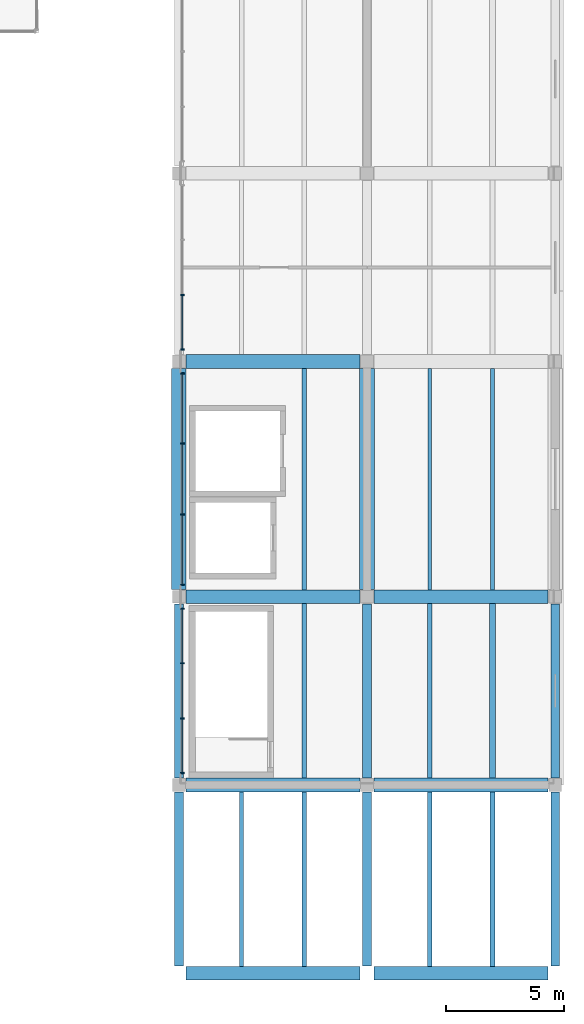
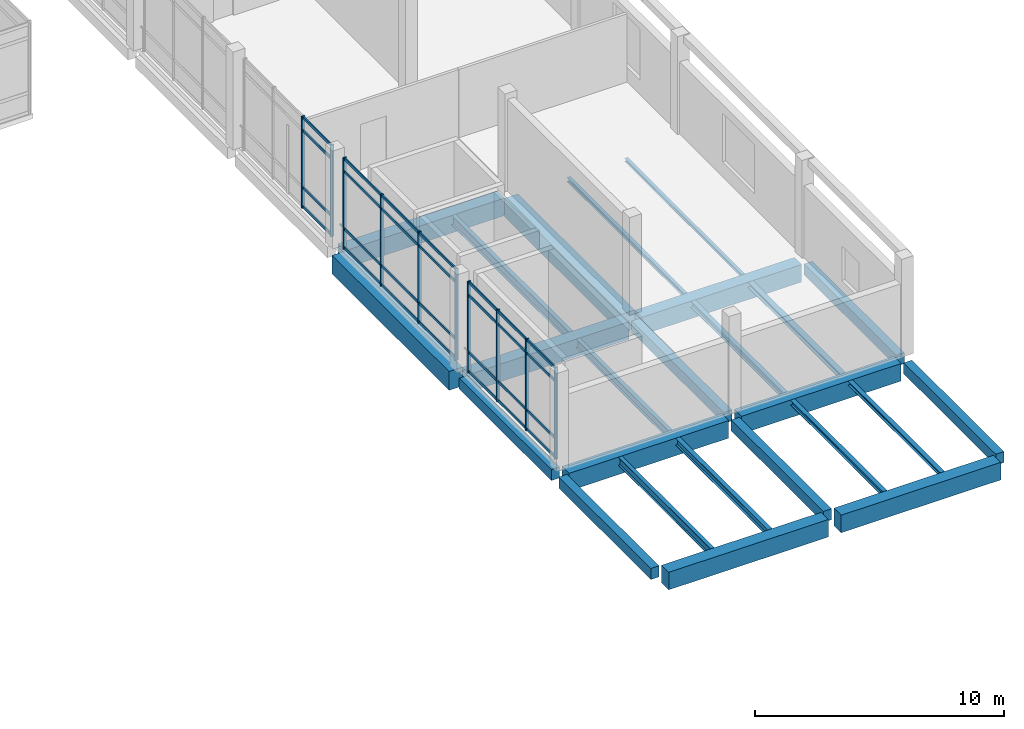
# One storey, part 9 of 28: 38 members, 25 beams, 3 elements without a shape of their own.
"""IFC4 building model written with IfcOpenShell, lengths in metres."""

from ifc_helpers import new_model, si_unit, direction, frame, origin, origin_2d, place, context, subcontext, project, spatial, rectangle, i_section, extrude, material, material_profile, profile_set, type_object, element, aggregate, save


model = new_model("IFC4")

# Units and contexts
model_context = context("Model", 3, precision=1e-05, world=origin(), true_north=direction((0.0, 1.0)))
body_context = subcontext(model_context, "Body", "Model", "MODEL_VIEW")
ifc_project = project(units=[si_unit("LENGTHUNIT", "METRE"), si_unit("AREAUNIT", "SQUARE_METRE"), si_unit("VOLUMEUNIT", "CUBIC_METRE"), si_unit("PLANEANGLEUNIT", "RADIAN"), si_unit("MASSUNIT", "GRAM", prefix="KILO")], contexts=[model_context])

# Site, building, storey
site_placement = place(None, origin())
site = spatial("IfcSite", under=ifc_project, at=site_placement, CompositionType="ELEMENT")
building_placement = place(site_placement, origin())
building = spatial("IfcBuilding", under=site, at=building_placement, Name="Pecanmere Concourse Central Library", CompositionType="ELEMENT")
storey_placement = place(building_placement, frame((0.0, 0.0, 20.10009765625)))
storey = spatial("IfcBuildingStorey", under=building, at=storey_placement, Name="L05", CompositionType="ELEMENT", Elevation=20.10009765625)

# Beams
ifc_material_1 = material(Name="Concrete C40/50", Category="concrete")
ifc_material_profile_1 = material_profile(ifc_material_1, rectangle(XDim=0.3798828125, YDim=0.5400390625, at=origin_2d()), Name="RC 380x540")
ifc_profile_set_1 = profile_set([ifc_material_profile_1], Name="Concrete C40/50")
beam_type_1 = type_object("IfcBeamType", Name="BM_380x540", PredefinedType="BEAM", material=ifc_profile_set_1)
for number, where, z_axis, x_axis, name in (
    (1, (112.0, 48.300048828125, -0.550048828125), (0.0, 1.0, 0.0), (-1.0, 0.0, 0.0), "Primary Girder Y L05-2523"),
    (2, (112.0, 56.300048828125, -0.550048828125), (0.0, 1.0, 0.0), (-1.0, 0.0, 0.0), "Primary Girder Y L05-2524"),
    (3, (120.0, 48.300048828125, -0.550048828125), (0.0, 1.0, 0.0), (-1.0, 0.0, 0.0), "Primary Girder Y L05-2530"),
    (4, (120.0, 56.300048828125, -0.550048828125), (0.0, 1.0, 0.0), (-1.0, 0.0, 0.0), "Primary Girder Y L05-2531"),
    (5, (128.0, 48.300048828125, -0.550048828125), (0.0, 1.0, 0.0), (-1.0, 0.0, 0.0), "Primary Girder Y L05-2537"),
    (6, (128.0, 56.300048828125, -0.550048828125), (0.0, 1.0, 0.0), (-1.0, 0.0, 0.0), "Primary Girder Y L05-2538"),
):
    element("IfcBeam", number, at=place(storey_placement, frame(where, z_axis=z_axis, x_axis=x_axis)), inside=storey, type_object=beam_type_1, Name=name, PredefinedType="BEAM", context=body_context, shape_type="SweptSolid", body=[
        extrude(rectangle(XDim=0.3798828125, YDim=0.5400390625, at=origin_2d()), origin(), (0.0, 0.0, 1.0), 7.39990234375),
    ])

# Curtain wall, members
ifc_material_2 = material(Name="Clear anodized aluminium alloy 6063-T6", Category="aluminium")
curtain_wall_type = type_object("IfcCurtainWallType", Name="CW_CLOISTER_GLAZ", PredefinedType="USERDEFINED", material=ifc_material_2)
curtain_wall_1_placement = place(storey_placement, origin())
curtain_wall_1 = element("IfcCurtainWall", 7, at=curtain_wall_1_placement, inside=storey, type_object=curtain_wall_type, Name="Unitised Curtain Wall CW-04 L05-153", ObjectType="UNITISED CURTAIN WALL", PredefinedType="USERDEFINED")
ifc_material_3 = material(Name="Clear anodized aluminium alloy 6063-T6", Category="aluminium")
ifc_material_profile_2 = material_profile(ifc_material_3, rectangle(XDim=0.06005859375, YDim=0.14990234375, at=origin_2d()), Name="AL 60x150")
ifc_profile_set_2 = profile_set([ifc_material_profile_2], Name="Clear anodized aluminium alloy 6063-T6")
member_type_1 = type_object("IfcMemberType", Name="CWM_150x60", PredefinedType="MULLION", material=ifc_profile_set_2)
member_1_placement = place(storey_placement, frame((112.14990234375, 63.489990234375, 0.0), z_axis=(0.0, 0.0, 1.0), x_axis=(0.0, -1.0, 0.0)))
member_1 = element("IfcMember", 8, at=member_1_placement, type_object=member_type_1, Name="CW-04 Mullion 1", PredefinedType="MULLION", context=body_context, shape_type="SweptSolid", body=[
    extrude(rectangle(XDim=0.06005859375, YDim=0.14990234375, at=origin_2d()), origin(), (0.0, 0.0, 1.0), 4.5),
])
member_2_placement = place(storey_placement, frame((112.14990234375, 61.17333984375, 0.0), z_axis=(0.0, 0.0, 1.0), x_axis=(0.0, -1.0, 0.0)))
member_2 = element("IfcMember", 9, at=member_2_placement, type_object=member_type_1, Name="CW-04 Mullion 2", PredefinedType="MULLION", context=body_context, shape_type="SweptSolid", body=[
    extrude(rectangle(XDim=0.06005859375, YDim=0.14990234375, at=origin_2d()), origin(), (0.0, 0.0, 1.0), 4.5),
])
member_3_placement = place(storey_placement, frame((112.14990234375, 58.82666015625, 0.0), z_axis=(0.0, 0.0, 1.0), x_axis=(0.0, -1.0, 0.0)))
member_3 = element("IfcMember", 10, at=member_3_placement, type_object=member_type_1, Name="CW-04 Mullion 3", PredefinedType="MULLION", context=body_context, shape_type="SweptSolid", body=[
    extrude(rectangle(XDim=0.06005859375, YDim=0.14990234375, at=origin_2d()), origin(), (0.0, 0.0, 1.0), 4.5),
])
member_4_placement = place(storey_placement, frame((112.14990234375, 56.510009765625, 0.0), z_axis=(0.0, 0.0, 1.0), x_axis=(0.0, -1.0, 0.0)))
member_4 = element("IfcMember", 11, at=member_4_placement, type_object=member_type_1, Name="CW-04 Mullion 4", PredefinedType="MULLION", context=body_context, shape_type="SweptSolid", body=[
    extrude(rectangle(XDim=0.06005859375, YDim=0.14990234375, at=origin_2d()), origin(), (0.0, 0.0, 1.0), 4.5),
])

curtain_wall_2_placement = place(storey_placement, origin())
curtain_wall_2 = element("IfcCurtainWall", 12, at=curtain_wall_2_placement, inside=storey, type_object=curtain_wall_type, Name="Unitised Curtain Wall CW-04 L05-155", ObjectType="UNITISED CURTAIN WALL", PredefinedType="USERDEFINED")
member_5_placement = place(storey_placement, frame((112.14990234375, 73.489990234375, 0.0), z_axis=(0.0, 0.0, 1.0), x_axis=(0.0, -1.0, 0.0)))
member_5 = element("IfcMember", 13, at=member_5_placement, type_object=member_type_1, Name="CW-04 Mullion 1", PredefinedType="MULLION", context=body_context, shape_type="SweptSolid", body=[
    extrude(rectangle(XDim=0.06005859375, YDim=0.14990234375, at=origin_2d()), origin(), (0.0, 0.0, 1.0), 4.5),
])
member_6_placement = place(storey_placement, frame((112.14990234375, 70.506591796875, 0.0), z_axis=(0.0, 0.0, 1.0), x_axis=(0.0, -1.0, 0.0)))
member_6 = element("IfcMember", 14, at=member_6_placement, type_object=member_type_1, Name="CW-04 Mullion 2", PredefinedType="MULLION", context=body_context, shape_type="SweptSolid", body=[
    extrude(rectangle(XDim=0.06005859375, YDim=0.14990234375, at=origin_2d()), origin(), (0.0, 0.0, 1.0), 4.5),
])
member_7_placement = place(storey_placement, frame((112.14990234375, 67.493408203125, 0.0), z_axis=(0.0, 0.0, 1.0), x_axis=(0.0, -1.0, 0.0)))
member_7 = element("IfcMember", 15, at=member_7_placement, type_object=member_type_1, Name="CW-04 Mullion 3", PredefinedType="MULLION", context=body_context, shape_type="SweptSolid", body=[
    extrude(rectangle(XDim=0.06005859375, YDim=0.14990234375, at=origin_2d()), origin(), (0.0, 0.0, 1.0), 4.5),
])
member_8_placement = place(storey_placement, frame((112.14990234375, 64.510009765625, 0.0), z_axis=(0.0, 0.0, 1.0), x_axis=(0.0, -1.0, 0.0)))
member_8 = element("IfcMember", 16, at=member_8_placement, type_object=member_type_1, Name="CW-04 Mullion 4", PredefinedType="MULLION", context=body_context, shape_type="SweptSolid", body=[
    extrude(rectangle(XDim=0.06005859375, YDim=0.14990234375, at=origin_2d()), origin(), (0.0, 0.0, 1.0), 4.5),
])

curtain_wall_3_placement = place(storey_placement, origin())
curtain_wall_3 = element("IfcCurtainWall", 17, at=curtain_wall_3_placement, inside=storey, type_object=curtain_wall_type, Name="Unitised Curtain Wall CW-04 L05-157", ObjectType="UNITISED CURTAIN WALL", PredefinedType="USERDEFINED")
member_9_placement = place(storey_placement, frame((112.14990234375, 76.82666015625, 0.0), z_axis=(0.0, 0.0, 1.0), x_axis=(0.0, -1.0, 0.0)))
member_9 = element("IfcMember", 18, at=member_9_placement, type_object=member_type_1, Name="CW-04 Mullion 3", PredefinedType="MULLION", context=body_context, shape_type="SweptSolid", body=[
    extrude(rectangle(XDim=0.06005859375, YDim=0.14990234375, at=origin_2d()), origin(), (0.0, 0.0, 1.0), 4.5),
])
member_10_placement = place(storey_placement, frame((112.14990234375, 74.510009765625, 0.0), z_axis=(0.0, 0.0, 1.0), x_axis=(0.0, -1.0, 0.0)))
member_10 = element("IfcMember", 19, at=member_10_placement, type_object=member_type_1, Name="CW-04 Mullion 4", PredefinedType="MULLION", context=body_context, shape_type="SweptSolid", body=[
    extrude(rectangle(XDim=0.06005859375, YDim=0.14990234375, at=origin_2d()), origin(), (0.0, 0.0, 1.0), 4.5),
])

# Member
ifc_material_4 = material(Name="Clear anodized aluminium alloy 6063-T6", Category="aluminium")
ifc_material_profile_3 = material_profile(ifc_material_4, rectangle(XDim=0.054931640625, YDim=0.139892578125, at=origin_2d()), Name="AL 55x140")
ifc_profile_set_3 = profile_set([ifc_material_profile_3], Name="Clear anodized aluminium alloy 6063-T6")
member_type_2 = type_object("IfcMemberType", Name="CWT_140x55", PredefinedType="USERDEFINED", material=ifc_profile_set_3)
member_11_placement = place(storey_placement, frame((112.14990234375, 63.4599609375, 0.06982421875), z_axis=(0.0, -1.0, 0.0), x_axis=(1.0, 0.0, 0.0)))
member_11 = element("IfcMember", 20, at=member_11_placement, type_object=member_type_2, Name="CW-04 Transom 1.1", ObjectType="TRANSOM", PredefinedType="USERDEFINED", context=body_context, shape_type="SweptSolid", body=[
    extrude(rectangle(XDim=0.054931640625, YDim=0.139892578125, at=origin_2d()), origin(), (0.0, 0.0, 1.0), 2.256591796875),
])

member_12_placement = place(storey_placement, frame((112.14990234375, 63.4599609375, 1.0), z_axis=(0.0, -1.0, 0.0), x_axis=(1.0, 0.0, 0.0)))
member_12 = element("IfcMember", 21, at=member_12_placement, type_object=member_type_2, Name="CW-04 Transom 1.2", ObjectType="TRANSOM", PredefinedType="USERDEFINED", context=body_context, shape_type="SweptSolid", body=[
    extrude(rectangle(XDim=0.054931640625, YDim=0.139892578125, at=origin_2d()), origin(), (0.0, 0.0, 1.0), 2.256591796875),
])

member_13_placement = place(storey_placement, frame((112.14990234375, 63.4599609375, 3.7998046875), z_axis=(0.0, -1.0, 0.0), x_axis=(1.0, 0.0, 0.0)))
member_13 = element("IfcMember", 22, at=member_13_placement, type_object=member_type_2, Name="CW-04 Transom 1.3", ObjectType="TRANSOM", PredefinedType="USERDEFINED", context=body_context, shape_type="SweptSolid", body=[
    extrude(rectangle(XDim=0.054931640625, YDim=0.139892578125, at=origin_2d()), origin(), (0.0, 0.0, 1.0), 2.256591796875),
])

member_14_placement = place(storey_placement, frame((112.14990234375, 63.4599609375, 4.429931640625), z_axis=(0.0, -1.0, 0.0), x_axis=(1.0, 0.0, 0.0)))
member_14 = element("IfcMember", 23, at=member_14_placement, type_object=member_type_2, Name="CW-04 Transom 1.4", ObjectType="TRANSOM", PredefinedType="USERDEFINED", context=body_context, shape_type="SweptSolid", body=[
    extrude(rectangle(XDim=0.054931640625, YDim=0.139892578125, at=origin_2d()), origin(), (0.0, 0.0, 1.0), 2.256591796875),
])

member_15_placement = place(storey_placement, frame((112.14990234375, 61.143310546875, 0.06982421875), z_axis=(0.0, -1.0, 0.0), x_axis=(1.0, 0.0, 0.0)))
member_15 = element("IfcMember", 24, at=member_15_placement, type_object=member_type_2, Name="CW-04 Transom 2.1", ObjectType="TRANSOM", PredefinedType="USERDEFINED", context=body_context, shape_type="SweptSolid", body=[
    extrude(rectangle(XDim=0.054931640625, YDim=0.139892578125, at=origin_2d()), origin(), (0.0, 0.0, 1.0), 2.28662109375),
])

member_16_placement = place(storey_placement, frame((112.14990234375, 61.143310546875, 1.0), z_axis=(0.0, -1.0, 0.0), x_axis=(1.0, 0.0, 0.0)))
member_16 = element("IfcMember", 25, at=member_16_placement, type_object=member_type_2, Name="CW-04 Transom 2.2", ObjectType="TRANSOM", PredefinedType="USERDEFINED", context=body_context, shape_type="SweptSolid", body=[
    extrude(rectangle(XDim=0.054931640625, YDim=0.139892578125, at=origin_2d()), origin(), (0.0, 0.0, 1.0), 2.28662109375),
])

member_17_placement = place(storey_placement, frame((112.14990234375, 61.143310546875, 3.7998046875), z_axis=(0.0, -1.0, 0.0), x_axis=(1.0, 0.0, 0.0)))
member_17 = element("IfcMember", 26, at=member_17_placement, type_object=member_type_2, Name="CW-04 Transom 2.3", ObjectType="TRANSOM", PredefinedType="USERDEFINED", context=body_context, shape_type="SweptSolid", body=[
    extrude(rectangle(XDim=0.054931640625, YDim=0.139892578125, at=origin_2d()), origin(), (0.0, 0.0, 1.0), 2.28662109375),
])

member_18_placement = place(storey_placement, frame((112.14990234375, 61.143310546875, 4.429931640625), z_axis=(0.0, -1.0, 0.0), x_axis=(1.0, 0.0, 0.0)))
member_18 = element("IfcMember", 27, at=member_18_placement, type_object=member_type_2, Name="CW-04 Transom 2.4", ObjectType="TRANSOM", PredefinedType="USERDEFINED", context=body_context, shape_type="SweptSolid", body=[
    extrude(rectangle(XDim=0.054931640625, YDim=0.139892578125, at=origin_2d()), origin(), (0.0, 0.0, 1.0), 2.28662109375),
])

member_19_placement = place(storey_placement, frame((112.14990234375, 58.796630859375, 0.06982421875), z_axis=(0.0, -1.0, 0.0), x_axis=(1.0, 0.0, 0.0)))
member_19 = element("IfcMember", 28, at=member_19_placement, type_object=member_type_2, Name="CW-04 Transom 3.1", ObjectType="TRANSOM", PredefinedType="USERDEFINED", context=body_context, shape_type="SweptSolid", body=[
    extrude(rectangle(XDim=0.054931640625, YDim=0.139892578125, at=origin_2d()), origin(), (0.0, 0.0, 1.0), 2.256591796875),
])

member_20_placement = place(storey_placement, frame((112.14990234375, 58.796630859375, 1.0), z_axis=(0.0, -1.0, 0.0), x_axis=(1.0, 0.0, 0.0)))
member_20 = element("IfcMember", 29, at=member_20_placement, type_object=member_type_2, Name="CW-04 Transom 3.2", ObjectType="TRANSOM", PredefinedType="USERDEFINED", context=body_context, shape_type="SweptSolid", body=[
    extrude(rectangle(XDim=0.054931640625, YDim=0.139892578125, at=origin_2d()), origin(), (0.0, 0.0, 1.0), 2.256591796875),
])

member_21_placement = place(storey_placement, frame((112.14990234375, 58.796630859375, 3.7998046875), z_axis=(0.0, -1.0, 0.0), x_axis=(1.0, 0.0, 0.0)))
member_21 = element("IfcMember", 30, at=member_21_placement, type_object=member_type_2, Name="CW-04 Transom 3.3", ObjectType="TRANSOM", PredefinedType="USERDEFINED", context=body_context, shape_type="SweptSolid", body=[
    extrude(rectangle(XDim=0.054931640625, YDim=0.139892578125, at=origin_2d()), origin(), (0.0, 0.0, 1.0), 2.256591796875),
])

member_22_placement = place(storey_placement, frame((112.14990234375, 58.796630859375, 4.429931640625), z_axis=(0.0, -1.0, 0.0), x_axis=(1.0, 0.0, 0.0)))
member_22 = element("IfcMember", 31, at=member_22_placement, type_object=member_type_2, Name="CW-04 Transom 3.4", ObjectType="TRANSOM", PredefinedType="USERDEFINED", context=body_context, shape_type="SweptSolid", body=[
    extrude(rectangle(XDim=0.054931640625, YDim=0.139892578125, at=origin_2d()), origin(), (0.0, 0.0, 1.0), 2.256591796875),
])

aggregate(curtain_wall_1, [member_1, member_2, member_3, member_4, member_11, member_12, member_13, member_14, member_15, member_16, member_17, member_18, member_19, member_20, member_21, member_22])

member_23_placement = place(storey_placement, frame((112.14990234375, 73.4599609375, 0.06982421875), z_axis=(0.0, -1.0, 0.0), x_axis=(1.0, 0.0, 0.0)))
member_23 = element("IfcMember", 32, at=member_23_placement, type_object=member_type_2, Name="CW-04 Transom 1.1", ObjectType="TRANSOM", PredefinedType="USERDEFINED", context=body_context, shape_type="SweptSolid", body=[
    extrude(rectangle(XDim=0.054931640625, YDim=0.139892578125, at=origin_2d()), origin(), (0.0, 0.0, 1.0), 2.92333984375),
])

member_24_placement = place(storey_placement, frame((112.14990234375, 73.4599609375, 1.0), z_axis=(0.0, -1.0, 0.0), x_axis=(1.0, 0.0, 0.0)))
member_24 = element("IfcMember", 33, at=member_24_placement, type_object=member_type_2, Name="CW-04 Transom 1.2", ObjectType="TRANSOM", PredefinedType="USERDEFINED", context=body_context, shape_type="SweptSolid", body=[
    extrude(rectangle(XDim=0.054931640625, YDim=0.139892578125, at=origin_2d()), origin(), (0.0, 0.0, 1.0), 2.92333984375),
])

member_25_placement = place(storey_placement, frame((112.14990234375, 73.4599609375, 3.7998046875), z_axis=(0.0, -1.0, 0.0), x_axis=(1.0, 0.0, 0.0)))
member_25 = element("IfcMember", 34, at=member_25_placement, type_object=member_type_2, Name="CW-04 Transom 1.3", ObjectType="TRANSOM", PredefinedType="USERDEFINED", context=body_context, shape_type="SweptSolid", body=[
    extrude(rectangle(XDim=0.054931640625, YDim=0.139892578125, at=origin_2d()), origin(), (0.0, 0.0, 1.0), 2.92333984375),
])

member_26_placement = place(storey_placement, frame((112.14990234375, 73.4599609375, 4.429931640625), z_axis=(0.0, -1.0, 0.0), x_axis=(1.0, 0.0, 0.0)))
member_26 = element("IfcMember", 35, at=member_26_placement, type_object=member_type_2, Name="CW-04 Transom 1.4", ObjectType="TRANSOM", PredefinedType="USERDEFINED", context=body_context, shape_type="SweptSolid", body=[
    extrude(rectangle(XDim=0.054931640625, YDim=0.139892578125, at=origin_2d()), origin(), (0.0, 0.0, 1.0), 2.92333984375),
])

member_27_placement = place(storey_placement, frame((112.14990234375, 70.4765625, 0.06982421875), z_axis=(0.0, -1.0, 0.0), x_axis=(1.0, 0.0, 0.0)))
member_27 = element("IfcMember", 36, at=member_27_placement, type_object=member_type_2, Name="CW-04 Transom 2.1", ObjectType="TRANSOM", PredefinedType="USERDEFINED", context=body_context, shape_type="SweptSolid", body=[
    extrude(rectangle(XDim=0.054931640625, YDim=0.139892578125, at=origin_2d()), origin(), (0.0, 0.0, 1.0), 2.953125),
])

member_28_placement = place(storey_placement, frame((112.14990234375, 70.4765625, 1.0), z_axis=(0.0, -1.0, 0.0), x_axis=(1.0, 0.0, 0.0)))
member_28 = element("IfcMember", 37, at=member_28_placement, type_object=member_type_2, Name="CW-04 Transom 2.2", ObjectType="TRANSOM", PredefinedType="USERDEFINED", context=body_context, shape_type="SweptSolid", body=[
    extrude(rectangle(XDim=0.054931640625, YDim=0.139892578125, at=origin_2d()), origin(), (0.0, 0.0, 1.0), 2.953125),
])

member_29_placement = place(storey_placement, frame((112.14990234375, 70.4765625, 3.7998046875), z_axis=(0.0, -1.0, 0.0), x_axis=(1.0, 0.0, 0.0)))
member_29 = element("IfcMember", 38, at=member_29_placement, type_object=member_type_2, Name="CW-04 Transom 2.3", ObjectType="TRANSOM", PredefinedType="USERDEFINED", context=body_context, shape_type="SweptSolid", body=[
    extrude(rectangle(XDim=0.054931640625, YDim=0.139892578125, at=origin_2d()), origin(), (0.0, 0.0, 1.0), 2.953125),
])

member_30_placement = place(storey_placement, frame((112.14990234375, 70.4765625, 4.429931640625), z_axis=(0.0, -1.0, 0.0), x_axis=(1.0, 0.0, 0.0)))
member_30 = element("IfcMember", 39, at=member_30_placement, type_object=member_type_2, Name="CW-04 Transom 2.4", ObjectType="TRANSOM", PredefinedType="USERDEFINED", context=body_context, shape_type="SweptSolid", body=[
    extrude(rectangle(XDim=0.054931640625, YDim=0.139892578125, at=origin_2d()), origin(), (0.0, 0.0, 1.0), 2.953125),
])

member_31_placement = place(storey_placement, frame((112.14990234375, 67.46337890625, 0.06982421875), z_axis=(0.0, -1.0, 0.0), x_axis=(1.0, 0.0, 0.0)))
member_31 = element("IfcMember", 40, at=member_31_placement, type_object=member_type_2, Name="CW-04 Transom 3.1", ObjectType="TRANSOM", PredefinedType="USERDEFINED", context=body_context, shape_type="SweptSolid", body=[
    extrude(rectangle(XDim=0.054931640625, YDim=0.139892578125, at=origin_2d()), origin(), (0.0, 0.0, 1.0), 2.92333984375),
])

member_32_placement = place(storey_placement, frame((112.14990234375, 67.46337890625, 1.0), z_axis=(0.0, -1.0, 0.0), x_axis=(1.0, 0.0, 0.0)))
member_32 = element("IfcMember", 41, at=member_32_placement, type_object=member_type_2, Name="CW-04 Transom 3.2", ObjectType="TRANSOM", PredefinedType="USERDEFINED", context=body_context, shape_type="SweptSolid", body=[
    extrude(rectangle(XDim=0.054931640625, YDim=0.139892578125, at=origin_2d()), origin(), (0.0, 0.0, 1.0), 2.92333984375),
])

member_33_placement = place(storey_placement, frame((112.14990234375, 67.46337890625, 3.7998046875), z_axis=(0.0, -1.0, 0.0), x_axis=(1.0, 0.0, 0.0)))
member_33 = element("IfcMember", 42, at=member_33_placement, type_object=member_type_2, Name="CW-04 Transom 3.3", ObjectType="TRANSOM", PredefinedType="USERDEFINED", context=body_context, shape_type="SweptSolid", body=[
    extrude(rectangle(XDim=0.054931640625, YDim=0.139892578125, at=origin_2d()), origin(), (0.0, 0.0, 1.0), 2.92333984375),
])

member_34_placement = place(storey_placement, frame((112.14990234375, 67.46337890625, 4.429931640625), z_axis=(0.0, -1.0, 0.0), x_axis=(1.0, 0.0, 0.0)))
member_34 = element("IfcMember", 43, at=member_34_placement, type_object=member_type_2, Name="CW-04 Transom 3.4", ObjectType="TRANSOM", PredefinedType="USERDEFINED", context=body_context, shape_type="SweptSolid", body=[
    extrude(rectangle(XDim=0.054931640625, YDim=0.139892578125, at=origin_2d()), origin(), (0.0, 0.0, 1.0), 2.92333984375),
])

aggregate(curtain_wall_2, [member_5, member_6, member_7, member_8, member_23, member_24, member_25, member_26, member_27, member_28, member_29, member_30, member_31, member_32, member_33, member_34])

member_35_placement = place(storey_placement, frame((112.14990234375, 76.796630859375, 0.06982421875), z_axis=(0.0, -1.0, 0.0), x_axis=(1.0, 0.0, 0.0)))
member_35 = element("IfcMember", 44, at=member_35_placement, type_object=member_type_2, Name="CW-04 Transom 3.1", ObjectType="TRANSOM", PredefinedType="USERDEFINED", context=body_context, shape_type="SweptSolid", body=[
    extrude(rectangle(XDim=0.054931640625, YDim=0.139892578125, at=origin_2d()), origin(), (0.0, 0.0, 1.0), 2.256591796875),
])

member_36_placement = place(storey_placement, frame((112.14990234375, 76.796630859375, 1.0), z_axis=(0.0, -1.0, 0.0), x_axis=(1.0, 0.0, 0.0)))
member_36 = element("IfcMember", 45, at=member_36_placement, type_object=member_type_2, Name="CW-04 Transom 3.2", ObjectType="TRANSOM", PredefinedType="USERDEFINED", context=body_context, shape_type="SweptSolid", body=[
    extrude(rectangle(XDim=0.054931640625, YDim=0.139892578125, at=origin_2d()), origin(), (0.0, 0.0, 1.0), 2.256591796875),
])

member_37_placement = place(storey_placement, frame((112.14990234375, 76.796630859375, 3.7998046875), z_axis=(0.0, -1.0, 0.0), x_axis=(1.0, 0.0, 0.0)))
member_37 = element("IfcMember", 46, at=member_37_placement, type_object=member_type_2, Name="CW-04 Transom 3.3", ObjectType="TRANSOM", PredefinedType="USERDEFINED", context=body_context, shape_type="SweptSolid", body=[
    extrude(rectangle(XDim=0.054931640625, YDim=0.139892578125, at=origin_2d()), origin(), (0.0, 0.0, 1.0), 2.256591796875),
])

member_38_placement = place(storey_placement, frame((112.14990234375, 76.796630859375, 4.429931640625), z_axis=(0.0, -1.0, 0.0), x_axis=(1.0, 0.0, 0.0)))
member_38 = element("IfcMember", 47, at=member_38_placement, type_object=member_type_2, Name="CW-04 Transom 3.4", ObjectType="TRANSOM", PredefinedType="USERDEFINED", context=body_context, shape_type="SweptSolid", body=[
    extrude(rectangle(XDim=0.054931640625, YDim=0.139892578125, at=origin_2d()), origin(), (0.0, 0.0, 1.0), 2.256591796875),
])

aggregate(curtain_wall_3, [member_9, member_10, member_35, member_36, member_37, member_38])

# Beams
ifc_material_5 = material(Name="Concrete C40/50", Category="concrete")
ifc_material_profile_4 = material_profile(ifc_material_5, rectangle(XDim=0.580078125, YDim=0.860107421875, at=origin_2d()), Name="RC 580x860")
ifc_profile_set_4 = profile_set([ifc_material_profile_4], Name="Concrete C40/50")
beam_type_2 = type_object("IfcBeamType", Name="GRD_580x860", PredefinedType="USERDEFINED", material=ifc_profile_set_4)
for number, where, z_axis, x_axis, name in (
    (48, (112.300048828125, 48.0, -0.710205078125), (1.0, 0.0, 0.0), (0.0, 1.0, 0.0), "Primary Girder X L05-2436"),
    (49, (120.300048828125, 48.0, -0.710205078125), (1.0, 0.0, 0.0), (0.0, 1.0, 0.0), "Primary Girder X L05-2437"),
    (50, (112.300048828125, 56.0, -0.710205078125), (1.0, 0.0, 0.0), (0.0, 1.0, 0.0), "Primary Girder X L05-2440"),
    (51, (120.300048828125, 56.0, -0.710205078125), (1.0, 0.0, 0.0), (0.0, 1.0, 0.0), "Primary Girder X L05-2441"),
    (52, (112.300048828125, 64.0, -0.710205078125), (1.0, 0.0, 0.0), (0.0, 1.0, 0.0), "Primary Girder X L05-2444"),
    (53, (120.300048828125, 64.0, -0.710205078125), (1.0, 0.0, 0.0), (0.0, 1.0, 0.0), "Primary Girder X L05-2445"),
    (54, (112.300048828125, 74.0, -0.710205078125), (1.0, 0.0, 0.0), (0.0, 1.0, 0.0), "Primary Girder X L05-2448"),
):
    element("IfcBeam", number, at=place(storey_placement, frame(where, z_axis=z_axis, x_axis=x_axis)), inside=storey, type_object=beam_type_2, Name=name, ObjectType="GIRDER", PredefinedType="USERDEFINED", context=body_context, shape_type="SweptSolid", body=[
        extrude(rectangle(XDim=0.580078125, YDim=0.860107421875, at=origin_2d()), origin(), (0.0, 0.0, 1.0), 7.39990234375),
    ])
ifc_material_6 = material(Name="Concrete C40/50", Category="concrete")
ifc_material_profile_5 = material_profile(ifc_material_6, rectangle(XDim=0.6201171875, YDim=0.919921875, at=origin_2d()), Name="RC 620x920")
ifc_profile_set_5 = profile_set([ifc_material_profile_5], Name="Concrete C40/50")
beam_type_3 = type_object("IfcBeamType", Name="GRD_620x920", PredefinedType="USERDEFINED", material=ifc_profile_set_5)
for number, where, z_axis, x_axis, name in (
    (55, (112.0, 64.300048828125, -0.739990234375), (0.0, 1.0, 0.0), (-1.0, 0.0, 0.0), "Primary Girder Y L05-2525"),
    (56, (120.0, 64.300048828125, -0.739990234375), (0.0, 1.0, 0.0), (-1.0, 0.0, 0.0), "Primary Girder Y L05-2532"),
):
    element("IfcBeam", number, at=place(storey_placement, frame(where, z_axis=z_axis, x_axis=x_axis)), inside=storey, type_object=beam_type_3, Name=name, ObjectType="GIRDER", PredefinedType="USERDEFINED", context=body_context, shape_type="SweptSolid", body=[
        extrude(rectangle(XDim=0.6201171875, YDim=0.919921875, at=origin_2d()), origin(), (0.0, 0.0, 1.0), 9.39990234375),
    ])
ifc_material_7 = material(Name="Structural steel ASTM A992 Grade 50", Category="steel")
ifc_material_profile_6 = material_profile(ifc_material_7, i_section(OverallWidth=0.152099609375, OverallDepth=0.152099609375, WebThickness=0.005859375, FlangeThickness=0.006591796875, at=origin_2d()), Name="W150x22.5")
ifc_profile_set_6 = profile_set([ifc_material_profile_6], Name="Structural steel ASTM A992 Grade 50")
beam_type_4 = type_object("IfcBeamType", Name="SBM_W150x22", PredefinedType="LINTEL", material=ifc_profile_set_6)
beam_1_placement = place(storey_placement, frame((125.333251953125, 64.2900390625, -0.356201171875), z_axis=(0.0, 1.0, 0.0), x_axis=(-1.0, 0.0, 0.0)))
element("IfcBeam", 57, at=beam_1_placement, inside=storey, type_object=beam_type_4, Name="Secondary Floor Joist L05-2615", PredefinedType="LINTEL", context=body_context, shape_type="SweptSolid", body=[
    extrude(i_section(OverallWidth=0.152099609375, OverallDepth=0.152099609375, WebThickness=0.005859375, FlangeThickness=0.006591796875, at=origin_2d()), origin(), (0.0, 0.0, 1.0), 9.419921875),
])
ifc_material_8 = material(Name="Structural steel ASTM A992 Grade 50", Category="steel")
ifc_material_profile_7 = material_profile(ifc_material_8, i_section(OverallWidth=0.1650390625, OverallDepth=0.200927734375, WebThickness=0.006103515625, FlangeThickness=0.01025390625, at=origin_2d()), Name="W200x35.9")
ifc_profile_set_7 = profile_set([ifc_material_profile_7], Name="Structural steel ASTM A992 Grade 50")
beam_type_5 = type_object("IfcBeamType", Name="SBM_W200x36", PredefinedType="LINTEL", material=ifc_profile_set_7)
beam_2_placement = place(storey_placement, frame((122.666748046875, 64.2900390625, -0.380615234375), z_axis=(0.0, 1.0, 0.0), x_axis=(-1.0, 0.0, 0.0)))
element("IfcBeam", 58, at=beam_2_placement, inside=storey, type_object=beam_type_5, Name="Secondary Floor Joist L05-2614", PredefinedType="LINTEL", context=body_context, shape_type="SweptSolid", body=[
    extrude(i_section(OverallWidth=0.1650390625, OverallDepth=0.200927734375, WebThickness=0.006103515625, FlangeThickness=0.01025390625, at=origin_2d()), origin(), (0.0, 0.0, 1.0), 9.419921875),
])
ifc_material_9 = material(Name="Structural steel ASTM A992 Grade 50", Category="steel")
ifc_material_profile_8 = material_profile(ifc_material_9, i_section(OverallWidth=0.2041015625, OverallDepth=0.2060546875, WebThickness=0.0078125, FlangeThickness=0.0126953125, at=origin_2d()), Name="W200x52")
ifc_profile_set_8 = profile_set([ifc_material_profile_8], Name="Structural steel ASTM A992 Grade 50")
beam_type_6 = type_object("IfcBeamType", Name="SBM_W200x52", PredefinedType="JOIST", material=ifc_profile_set_8)
beam_3_placement = place(storey_placement, frame((125.333251953125, 48.2900390625, -0.383056640625), z_axis=(0.0, 1.0, 0.0), x_axis=(-1.0, 0.0, 0.0)))
element("IfcBeam", 59, at=beam_3_placement, inside=storey, type_object=beam_type_6, Name="Secondary Floor Joist L05-2611", PredefinedType="JOIST", context=body_context, shape_type="SweptSolid", body=[
    extrude(i_section(OverallWidth=0.2041015625, OverallDepth=0.2060546875, WebThickness=0.0078125, FlangeThickness=0.0126953125, at=origin_2d()), origin(), (0.0, 0.0, 1.0), 7.419921875),
])
ifc_material_10 = material(Name="Structural steel ASTM A992 Grade 50", Category="steel")
ifc_material_profile_9 = material_profile(ifc_material_10, i_section(OverallWidth=0.201904296875, OverallDepth=0.2470703125, WebThickness=0.00732421875, FlangeThickness=0.010986328125, at=origin_2d()), Name="W250x49.1")
ifc_profile_set_9 = profile_set([ifc_material_profile_9], Name="Structural steel ASTM A992 Grade 50")
beam_type_7 = type_object("IfcBeamType", Name="SBM_W250x49", PredefinedType="JOIST", material=ifc_profile_set_9)
beam_4_placement = place(storey_placement, frame((122.666748046875, 48.2900390625, -0.403564453125), z_axis=(0.0, 1.0, 0.0), x_axis=(-1.0, 0.0, 0.0)))
element("IfcBeam", 60, at=beam_4_placement, inside=storey, type_object=beam_type_7, Name="Secondary Floor Joist L05-2610", PredefinedType="JOIST", context=body_context, shape_type="SweptSolid", body=[
    extrude(i_section(OverallWidth=0.201904296875, OverallDepth=0.2470703125, WebThickness=0.00732421875, FlangeThickness=0.010986328125, at=origin_2d()), origin(), (0.0, 0.0, 1.0), 7.419921875),
])
ifc_material_11 = material(Name="Structural steel ASTM A992 Grade 50", Category="steel")
ifc_material_profile_10 = material_profile(ifc_material_11, i_section(OverallWidth=0.25390625, OverallDepth=0.2529296875, WebThickness=0.008544921875, FlangeThickness=0.01416015625, at=origin_2d()), Name="W250x73")
ifc_profile_set_10 = profile_set([ifc_material_profile_10], Name="Structural steel ASTM A992 Grade 50")
beam_type_8 = type_object("IfcBeamType", Name="SBM_W250x73", PredefinedType="BEAM", material=ifc_profile_set_10)
beam_5_placement = place(storey_placement, frame((125.333251953125, 56.2900390625, -0.406494140625), z_axis=(0.0, 1.0, 0.0), x_axis=(-1.0, 0.0, 0.0)))
element("IfcBeam", 61, at=beam_5_placement, inside=storey, type_object=beam_type_8, Name="Secondary Floor Joist L05-2613", PredefinedType="BEAM", context=body_context, shape_type="SweptSolid", body=[
    extrude(i_section(OverallWidth=0.25390625, OverallDepth=0.2529296875, WebThickness=0.008544921875, FlangeThickness=0.01416015625, at=origin_2d()), origin(), (0.0, 0.0, 1.0), 7.419921875),
])
ifc_material_12 = material(Name="Structural steel ASTM A992 Grade 50", Category="steel")
ifc_material_profile_11 = material_profile(ifc_material_12, i_section(OverallWidth=0.205078125, OverallDepth=0.31005859375, WebThickness=0.009521484375, FlangeThickness=0.016357421875, at=origin_2d()), Name="W310x74")
ifc_profile_set_11 = profile_set([ifc_material_profile_11], Name="Structural steel ASTM A992 Grade 50")
beam_type_9 = type_object("IfcBeamType", Name="SBM_W310x74", PredefinedType="BEAM", material=ifc_profile_set_11)
beam_6_placement = place(storey_placement, frame((122.666748046875, 56.2900390625, -0.43505859375), z_axis=(0.0, 1.0, 0.0), x_axis=(-1.0, 0.0, 0.0)))
element("IfcBeam", 62, at=beam_6_placement, inside=storey, type_object=beam_type_9, Name="Secondary Floor Joist L05-2612", PredefinedType="BEAM", context=body_context, shape_type="SweptSolid", body=[
    extrude(i_section(OverallWidth=0.205078125, OverallDepth=0.31005859375, WebThickness=0.009521484375, FlangeThickness=0.016357421875, at=origin_2d()), origin(), (0.0, 0.0, 1.0), 7.419921875),
])
ifc_material_13 = material(Name="Structural steel ASTM A992 Grade 50", Category="steel")
ifc_material_profile_12 = material_profile(ifc_material_13, i_section(OverallWidth=0.202880859375, OverallDepth=0.346923828125, WebThickness=0.0078125, FlangeThickness=0.013427734375, at=origin_2d()), Name="W360x64")
ifc_profile_set_12 = profile_set([ifc_material_profile_12], Name="Structural steel ASTM A992 Grade 50")
beam_type_10 = type_object("IfcBeamType", Name="SBM_W360x64", PredefinedType="JOIST", material=ifc_profile_set_12)
beam_7_placement = place(storey_placement, frame((117.333251953125, 48.2900390625, -0.45361328125), z_axis=(0.0, 1.0, 0.0), x_axis=(-1.0, 0.0, 0.0)))
element("IfcBeam", 63, at=beam_7_placement, inside=storey, type_object=beam_type_10, Name="Secondary Floor Joist L05-2599", PredefinedType="JOIST", context=body_context, shape_type="SweptSolid", body=[
    extrude(i_section(OverallWidth=0.202880859375, OverallDepth=0.346923828125, WebThickness=0.0078125, FlangeThickness=0.013427734375, at=origin_2d()), origin(), (0.0, 0.0, 1.0), 7.419921875),
])
ifc_material_14 = material(Name="Structural steel ASTM A992 Grade 50", Category="steel")
ifc_material_profile_13 = material_profile(ifc_material_14, i_section(OverallWidth=0.177978515625, OverallDepth=0.406982421875, WebThickness=0.0078125, FlangeThickness=0.0126953125, at=origin_2d()), Name="W410x60")
ifc_profile_set_13 = profile_set([ifc_material_profile_13], Name="Structural steel ASTM A992 Grade 50")
beam_type_11 = type_object("IfcBeamType", Name="SBM_W410x60", PredefinedType="JOIST", material=ifc_profile_set_13)
beam_8_placement = place(storey_placement, frame((114.666748046875, 48.2900390625, -0.483642578125), z_axis=(0.0, 1.0, 0.0), x_axis=(-1.0, 0.0, 0.0)))
element("IfcBeam", 64, at=beam_8_placement, inside=storey, type_object=beam_type_11, Name="Secondary Floor Joist L05-2598", PredefinedType="JOIST", context=body_context, shape_type="SweptSolid", body=[
    extrude(i_section(OverallWidth=0.177978515625, OverallDepth=0.406982421875, WebThickness=0.0078125, FlangeThickness=0.0126953125, at=origin_2d()), origin(), (0.0, 0.0, 1.0), 7.419921875),
])
ifc_material_15 = material(Name="Structural steel ASTM A992 Grade 50", Category="steel")
ifc_material_profile_14 = material_profile(ifc_material_15, i_section(OverallWidth=0.180908203125, OverallDepth=0.4169921875, WebThickness=0.010986328125, FlangeThickness=0.018310546875, at=origin_2d()), Name="W410x85")
ifc_profile_set_14 = profile_set([ifc_material_profile_14], Name="Structural steel ASTM A992 Grade 50")
beam_type_12 = type_object("IfcBeamType", Name="SBM_W410x85", PredefinedType="BEAM", material=ifc_profile_set_14)
beam_9_placement = place(storey_placement, frame((117.333251953125, 56.2900390625, -0.488525390625), z_axis=(0.0, 1.0, 0.0), x_axis=(-1.0, 0.0, 0.0)))
element("IfcBeam", 65, at=beam_9_placement, inside=storey, type_object=beam_type_12, Name="Secondary Floor Joist L05-2600", PredefinedType="BEAM", context=body_context, shape_type="SweptSolid", body=[
    extrude(i_section(OverallWidth=0.180908203125, OverallDepth=0.4169921875, WebThickness=0.010986328125, FlangeThickness=0.018310546875, at=origin_2d()), origin(), (0.0, 0.0, 1.0), 7.419921875),
])
ifc_material_16 = material(Name="Structural steel ASTM A992 Grade 50", Category="steel")
ifc_material_profile_15 = material_profile(ifc_material_16, i_section(OverallWidth=0.194091796875, OverallDepth=0.468994140625, WebThickness=0.0126953125, FlangeThickness=0.0205078125, at=origin_2d()), Name="W460x106")
ifc_profile_set_15 = profile_set([ifc_material_profile_15], Name="Structural steel ASTM A992 Grade 50")
beam_type_13 = type_object("IfcBeamType", Name="SBM_W460x106", PredefinedType="USERDEFINED", material=ifc_profile_set_15)
beam_10_placement = place(storey_placement, frame((117.333251953125, 64.2900390625, -0.5146484375), z_axis=(0.0, 1.0, 0.0), x_axis=(-1.0, 0.0, 0.0)))
element("IfcBeam", 66, at=beam_10_placement, inside=storey, type_object=beam_type_13, Name="Secondary Floor Joist L05-2601", ObjectType="GIRDER", PredefinedType="USERDEFINED", context=body_context, shape_type="SweptSolid", body=[
    extrude(i_section(OverallWidth=0.194091796875, OverallDepth=0.468994140625, WebThickness=0.0126953125, FlangeThickness=0.0205078125, at=origin_2d()), origin(), (0.0, 0.0, 1.0), 9.419921875),
])

save(model, "model.ifc")
